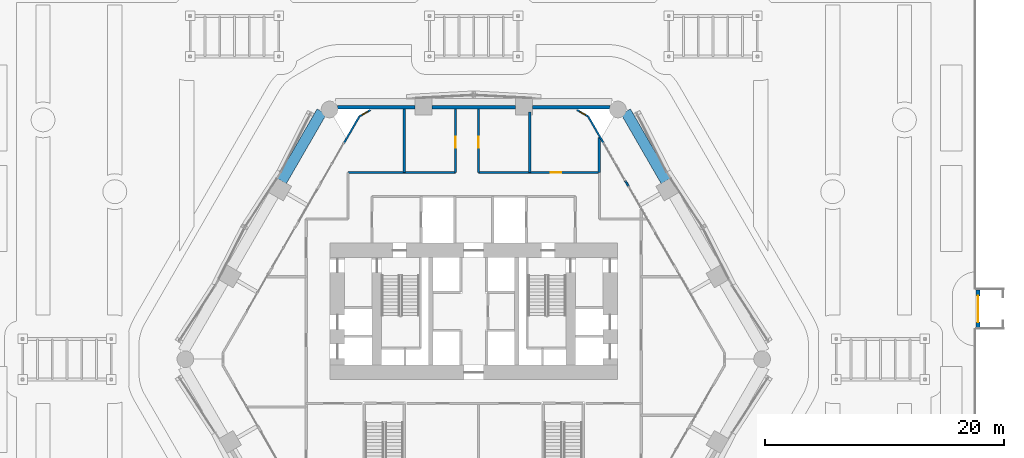
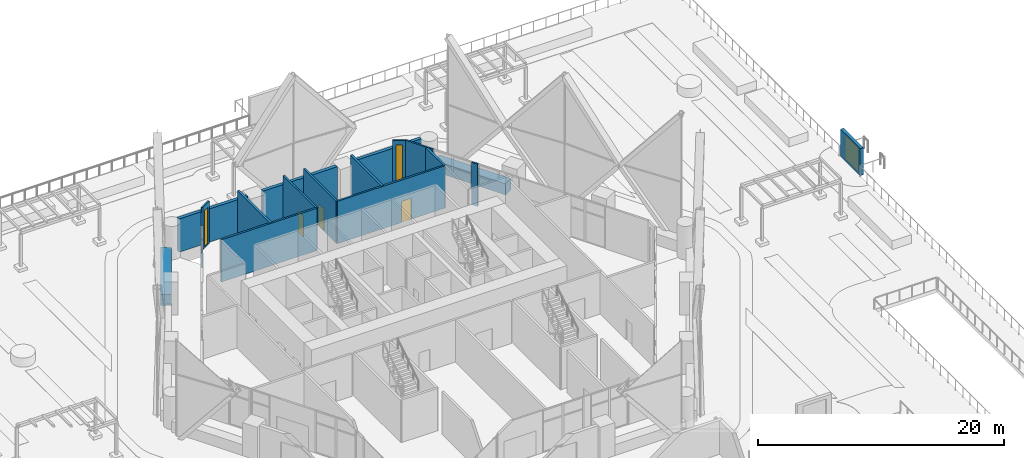
# One storey, part 56 of 71: 18 walls, 4 doors, 2 windows, 6 openings.
"""IFC4 building model written with IfcOpenShell, lengths in metres."""

from ifc_helpers import new_model, si_unit, direction, frame, frame_2d, origin, place, context, subcontext, project, spatial, rectangle, extrude, material, layer, layer_set, type_object, element, fill, save


model = new_model("IFC4")

# Units and contexts
model_context = context("Model", 3, precision=1e-05, world=origin(), true_north=direction((0.0, 1.0)))
body_context = subcontext(model_context, "Body", "Model", "MODEL_VIEW")
ifc_project = project(units=[si_unit("LENGTHUNIT", "METRE"), si_unit("AREAUNIT", "SQUARE_METRE"), si_unit("VOLUMEUNIT", "CUBIC_METRE"), si_unit("PLANEANGLEUNIT", "RADIAN"), si_unit("MASSUNIT", "GRAM", prefix="KILO")], contexts=[model_context])

# Site, building, storey
site_placement = place(None, origin())
site = spatial("IfcSite", under=ifc_project, at=site_placement, CompositionType="ELEMENT")
building_placement = place(site_placement, origin())
building = spatial("IfcBuilding", under=site, at=building_placement, Name="Ostrander Bayou Hotel Tower", CompositionType="ELEMENT")
storey_placement = place(building_placement, frame((0.0, 0.0, 10.0)))
storey = spatial("IfcBuildingStorey", under=building, at=storey_placement, Name="L02", CompositionType="ELEMENT", Elevation=10.0)

# Walls
ifc_material_1 = material(Name="Aluminium framed insulated wall", Category="aluminium")
ifc_layer_1 = layer(ifc_material_1, 0.14990234375)
ifc_layer_set_1 = layer_set([ifc_layer_1], Name="GW1 glass-line wall 150 mm")
wall_type_1 = type_object("IfcWallType", Name="GW1 glass-line wall 150 mm", PredefinedType="SOLIDWALL", material=ifc_layer_set_1)
for number, where, z_axis, x_axis, name in (
    (1, (-9.5595703125, 20.29248046875, 0.0), (0.0, 0.0, 1.0), (-0.499945140294, -0.866057074734, 0.0), "GW1 L02 NW end 1"),
    (2, (10.8564453125, 18.0458984375, 0.0), (0.0, 0.0, 1.0), (-0.499945140294, 0.866057074734, 0.0), "GW1 L02 NE end 2"),
):
    element("IfcWall", number, at=place(storey_placement, frame(where, z_axis=z_axis, x_axis=x_axis)), inside=storey, type_object=wall_type_1, Name=name, PredefinedType="SOLIDWALL", context=body_context, shape_type="SweptSolid", body=[
        extrude(rectangle(XDim=2.593994140625, YDim=0.14990234375, at=frame_2d((1.296875, 0.0))), origin(), (0.0, 0.0, 1.0), 4.199951171875),
    ])
wall_1_placement = place(storey_placement, frame((12.95654296875, 14.40869140625, 0.0), z_axis=(0.0, 0.0, 1.0), x_axis=(-0.50012165622, 0.865955154139, 0.0)))
element("IfcWall", 3, at=wall_1_placement, inside=storey, type_object=wall_type_1, Name="GW1 L02 NE pier 5", PredefinedType="SOLIDWALL", context=body_context, shape_type="SweptSolid", body=[
    extrude(rectangle(XDim=0.599853515625, YDim=0.14990234375, at=frame_2d((0.2998046875, 0.0))), origin(), (0.0, 0.0, 1.0), 4.199951171875),
])

# Wall, opening, window
wall_2_placement = place(storey_placement, frame((-8.63720703125, 20.824951171875, 0.0), z_axis=(0.0, 0.0, 1.0), x_axis=(-0.866048165231, -0.499960573946, 0.0)))
wall_2 = element("IfcWall", 4, at=wall_2_placement, inside=storey, type_object=wall_type_1, Name="GW1 L02 corner 1", PredefinedType="SOLIDWALL", context=body_context, shape_type="SweptSolid", body=[
    extrude(rectangle(XDim=1.06494140625, YDim=0.14990234375, at=frame_2d((0.532470703125, 0.0))), origin(), (0.0, 0.0, 1.0), 4.199951171875),
])
opening_1_placement = place(wall_2_placement, frame((0.257568359375, 0.0, 0.14990234375)))
opening_1 = element("IfcOpeningElement", 5, at=opening_1_placement, cuts=wall_2, Name="Opening W19", PredefinedType="OPENING", context=body_context, shape_type="SweptSolid", body=[
    extrude(rectangle(XDim=0.550048828125, YDim=3.60009765625, at=frame_2d((0.27490234375, 1.800048828125))), frame((0.0, 0.074951171875, 0.0), z_axis=(0.0, -1.0, 0.0), x_axis=(1.0, 0.0, 0.0)), (0.0, 0.0, 1.0), 0.14990234375),
])
ifc_material_2 = material(Name="Aluminium and clear glass", Category="aluminium")
window_type = type_object("IfcWindowType", Name="W19 corner window 550 mm", PartitioningType="SINGLE_PANEL", PredefinedType="WINDOW", material=ifc_material_2)
window_1_placement = place(opening_1_placement, origin())
window_1 = element("IfcWindow", 6, at=window_1_placement, inside=storey, type_object=window_type, Name="W19 L02 corner 1", OverallHeight=3.60009765625, OverallWidth=0.550048828125, PartitioningType="SINGLE_PANEL", PredefinedType="WINDOW", context=body_context, shape_type="SweptSolid", body=[
    extrude(rectangle(XDim=0.550048828125, YDim=3.60009765625, at=frame_2d((0.27490234375, 1.800048828125))), frame((0.0, 0.030029296875, 0.0), z_axis=(0.0, -1.0, 0.0), x_axis=(1.0, 0.0, 0.0)), (0.0, 0.0, 1.0), 0.06005859375),
])
fill(opening_1, window_1)

wall_3_placement = place(storey_placement, frame((9.5595703125, 20.29248046875, 0.0), z_axis=(0.0, 0.0, 1.0), x_axis=(-0.866048165231, 0.499960573946, 0.0)))
wall_3 = element("IfcWall", 7, at=wall_3_placement, inside=storey, type_object=wall_type_1, Name="GW1 L02 corner 6", PredefinedType="SOLIDWALL", context=body_context, shape_type="SweptSolid", body=[
    extrude(rectangle(XDim=1.06494140625, YDim=0.14990234375, at=frame_2d((0.532470703125, 0.0))), origin(), (0.0, 0.0, 1.0), 4.199951171875),
])
opening_2_placement = place(wall_3_placement, frame((0.257568359375, 0.0, 0.14990234375)))
opening_2 = element("IfcOpeningElement", 8, at=opening_2_placement, cuts=wall_3, Name="Opening W19", PredefinedType="OPENING", context=body_context, shape_type="SweptSolid", body=[
    extrude(rectangle(XDim=0.550048828125, YDim=3.60009765625, at=frame_2d((0.27490234375, 1.800048828125))), frame((0.0, 0.074951171875, 0.0), z_axis=(0.0, -1.0, 0.0), x_axis=(1.0, 0.0, 0.0)), (0.0, 0.0, 1.0), 0.14990234375),
])
window_2_placement = place(opening_2_placement, origin())
window_2 = element("IfcWindow", 9, at=window_2_placement, inside=storey, type_object=window_type, Name="W19 L02 corner 6", OverallHeight=3.60009765625, OverallWidth=0.550048828125, PartitioningType="SINGLE_PANEL", PredefinedType="WINDOW", context=body_context, shape_type="SweptSolid", body=[
    extrude(rectangle(XDim=0.550048828125, YDim=3.60009765625, at=frame_2d((0.27490234375, 1.800048828125))), frame((0.0, 0.030029296875, 0.0), z_axis=(0.0, -1.0, 0.0), x_axis=(1.0, 0.0, 0.0)), (0.0, 0.0, 1.0), 0.06005859375),
])
fill(opening_2, window_2)

# Walls
ifc_material_3 = material(Name="Reconstituted stone on masonry backing", Category="masonry")
ifc_layer_2 = layer(ifc_material_3, 0.300048828125)
ifc_layer_set_2 = layer_set([ifc_layer_2], Name="NW1 north stone wall 300 mm")
wall_type_2 = type_object("IfcWallType", Name="NW1 north stone wall 300 mm", PredefinedType="SOLIDWALL", material=ifc_layer_set_2)
wall_4_placement = place(storey_placement, frame((11.376708984375, 21.050048828125, 0.0), z_axis=(0.0, 0.0, 1.0), x_axis=(-1.0, 0.0, 0.0)))
element("IfcWall", 10, at=wall_4_placement, inside=storey, type_object=wall_type_2, Name="NW1 L02 N-1", PredefinedType="SOLIDWALL", context=body_context, shape_type="SweptSolid", body=[
    extrude(rectangle(XDim=6.481201171875, YDim=0.300048828125, at=frame_2d((3.24072265625, 0.0))), origin(), (0.0, 0.0, 1.0), 3.300048828125),
])
wall_5_placement = place(storey_placement, frame((3.495361328125, 21.050048828125, 0.0), z_axis=(0.0, 0.0, 1.0), x_axis=(-1.0, 0.0, 0.0)))
element("IfcWall", 11, at=wall_5_placement, inside=storey, type_object=wall_type_2, Name="NW1 L02 N-2", PredefinedType="SOLIDWALL", context=body_context, shape_type="SweptSolid", body=[
    extrude(rectangle(XDim=6.99072265625, YDim=0.300048828125, at=frame_2d((3.495361328125, 0.0))), origin(), (0.0, 0.0, 1.0), 3.300048828125),
])
wall_6_placement = place(storey_placement, frame((-4.8955078125, 21.050048828125, 0.0), z_axis=(0.0, 0.0, 1.0), x_axis=(-1.0, 0.0, 0.0)))
element("IfcWall", 12, at=wall_6_placement, inside=storey, type_object=wall_type_2, Name="NW1 L02 N-3", PredefinedType="SOLIDWALL", context=body_context, shape_type="SweptSolid", body=[
    extrude(rectangle(XDim=6.481201171875, YDim=0.300048828125, at=frame_2d((3.24072265625, 0.0))), origin(), (0.0, 0.0, 1.0), 3.300048828125),
])

# Wall, opening, door
wall_7_placement = place(storey_placement, frame((42.14990234375, 2.60009765625, 0.0), z_axis=(0.0, 0.0, 1.0), x_axis=(0.0, 1.0, 0.0)))
wall_7 = element("IfcWall", 13, at=wall_7_placement, inside=storey, type_object=wall_type_2, Name="NW1 garden gate wall E", PredefinedType="SOLIDWALL", context=body_context, shape_type="SweptSolid", body=[
    extrude(rectangle(XDim=3.199951171875, YDim=0.300048828125, at=frame_2d((1.60009765625, 0.0))), origin(), (0.0, 0.0, 1.0), 2.699951171875),
])
opening_3_placement = place(wall_7_placement, frame((0.5, 0.0, 0.0)))
opening_3 = element("IfcOpeningElement", 14, at=opening_3_placement, cuts=wall_7, Name="Opening T02-814", PredefinedType="OPENING", context=body_context, shape_type="SweptSolid", body=[
    extrude(rectangle(XDim=2.199951171875, YDim=2.39990234375, at=frame_2d((1.10009765625, 1.199951171875))), frame((0.0, 0.14990234375, 0.0), z_axis=(0.0, -1.0, 0.0), x_axis=(1.0, 0.0, 0.0)), (0.0, 0.0, 1.0), 0.300048828125),
])
ifc_material_4 = material(Name="Aluminium and clear glass", Category="aluminium")
door_type_1 = type_object("IfcDoorType", Name="GD1 garden gate 2200 mm", OperationType="DOUBLE_DOOR_SINGLE_SWING", PredefinedType="DOOR", material=ifc_material_4)
door_1_placement = place(opening_3_placement, origin())
door_1 = element("IfcDoor", 15, at=door_1_placement, inside=storey, type_object=door_type_1, Name="GD1 garden gate E", OperationType="DOUBLE_DOOR_SINGLE_SWING", OverallHeight=2.39990234375, OverallWidth=2.199951171875, PredefinedType="DOOR", context=body_context, shape_type="SweptSolid", body=[
    extrude(rectangle(XDim=2.199951171875, YDim=2.39990234375, at=frame_2d((1.10009765625, 1.199951171875))), frame((0.0, 0.02490234375, 0.0), z_axis=(0.0, -1.0, 0.0), x_axis=(1.0, 0.0, 0.0)), (0.0, 0.0, 1.0), 0.050048828125),
])
fill(opening_3, door_1)

# Walls
ifc_material_5 = material(Name="Concrete f'c 40 MPa", Category="concrete")
ifc_layer_3 = layer(ifc_material_5, 0.89990234375)
ifc_layer_set_3 = layer_set([ifc_layer_3], Name="PA1 stone-faced parapet 900 mm")
wall_type_3 = type_object("IfcWallType", Name="PA1 stone-faced parapet 900 mm", PredefinedType="PARAPET", material=ifc_layer_set_3)
for number, where, z_axis, x_axis, name in (
    (16, (-12.705078125, 20.694091796875, 0.0), (0.0, 0.0, 1.0), (-0.500005133765, -0.866022439784, 0.0), "PA1 L02 NW-1"),
    (17, (16.056884765625, 14.888671875, 0.0), (0.0, 0.0, 1.0), (-0.500005133765, 0.866022439784, 0.0), "PA1 L02 NE-3"),
):
    element("IfcWall", number, at=place(storey_placement, frame(where, z_axis=z_axis, x_axis=x_axis)), inside=storey, type_object=wall_type_3, Name=name, PredefinedType="PARAPET", context=body_context, shape_type="SweptSolid", body=[
        extrude(rectangle(XDim=6.70361328125, YDim=0.89990234375, at=frame_2d((3.351806640625, 0.0))), origin(), (0.0, 0.0, 1.0), 1.10009765625),
    ])
ifc_material_6 = material(Name="Gypsum board partition", Category="finish")
ifc_layer_4 = layer(ifc_material_6, 0.199951171875)
ifc_layer_set_4 = layer_set([ifc_layer_4], Name="PT3 demising wall 200 mm acoustic double stud, 1 hour")
wall_type_4 = type_object("IfcWallType", Name="PT3 demising wall 200 mm acoustic double stud, 1 hour", PredefinedType="PARTITIONING", material=ifc_layer_set_4)
wall_8_placement = place(storey_placement, frame((-5.800048828125, 15.60009765625, 0.0), z_axis=(0.0, 0.0, 1.0), x_axis=(0.0, 1.0, 0.0)))
element("IfcWall", 18, at=wall_8_placement, inside=storey, type_object=wall_type_4, Name="sw:L02:019", PredefinedType="PARTITIONING", context=body_context, shape_type="SweptSolid", body=[
    extrude(rectangle(XDim=5.294921875, YDim=0.199951171875, at=frame_2d((2.6474609375, 0.0))), origin(), (0.0, 0.0, 1.0), 4.199951171875),
])
wall_9_placement = place(storey_placement, frame((4.672119140625, 15.60009765625, 0.0), z_axis=(0.0, 0.0, 1.0), x_axis=(0.0, 1.0, 0.0)))
element("IfcWall", 19, at=wall_9_placement, inside=storey, type_object=wall_type_4, Name="sw:L02:022", PredefinedType="PARTITIONING", context=body_context, shape_type="SweptSolid", body=[
    extrude(rectangle(XDim=5.06982421875, YDim=0.199951171875, at=frame_2d((2.534912109375, 0.0))), origin(), (0.0, 0.0, 1.0), 4.199951171875),
])
wall_10_placement = place(storey_placement, frame((10.5, 15.60009765625, 0.0), z_axis=(0.0, 0.0, 1.0), x_axis=(0.0, 1.0, 0.0)))
element("IfcWall", 20, at=wall_10_placement, inside=storey, type_object=wall_type_4, Name="sw:L02:025", PredefinedType="PARTITIONING", context=body_context, shape_type="SweptSolid", body=[
    extrude(rectangle(XDim=2.908447265625, YDim=0.199951171875, at=frame_2d((1.4541015625, 0.0))), origin(), (0.0, 0.0, 1.0), 4.199951171875),
])
ifc_material_7 = material(Name="Gypsum board partition", Category="finish")
ifc_layer_5 = layer(ifc_material_7, 0.175048828125)
ifc_layer_set_5 = layer_set([ifc_layer_5], Name="PT4 corridor wall 175 mm, 1 hour")
wall_type_5 = type_object("IfcWallType", Name="PT4 corridor wall 175 mm, 1 hour", PredefinedType="PARTITIONING", material=ifc_layer_set_5)
wall_11_placement = place(storey_placement, frame((-10.5, 15.60009765625, 0.0), z_axis=(0.0, 0.0, 1.0), x_axis=(1.0, 0.0, 0.0)))
element("IfcWall", 21, at=wall_11_placement, inside=storey, type_object=wall_type_5, Name="sw:L02:006", PredefinedType="PARTITIONING", context=body_context, shape_type="SweptSolid", body=[
    extrude(rectangle(XDim=8.9716796875, YDim=0.175048828125, at=frame_2d((4.48583984375, 0.0))), origin(), (0.0, 0.0, 1.0), 4.199951171875),
])

# Wall, opening, door
wall_12_placement = place(storey_placement, frame((0.39990234375, 15.60009765625, 0.0), z_axis=(0.0, 0.0, 1.0), x_axis=(1.0, 0.0, 0.0)))
wall_12 = element("IfcWall", 22, at=wall_12_placement, inside=storey, type_object=wall_type_5, Name="sw:L02:007", PredefinedType="PARTITIONING", context=body_context, shape_type="SweptSolid", body=[
    extrude(rectangle(XDim=10.10009765625, YDim=0.175048828125, at=frame_2d((5.050048828125, 0.0))), origin(), (0.0, 0.0, 1.0), 4.199951171875),
])
opening_4_placement = place(wall_12_placement, frame((6.015625, 0.0, 0.0)))
opening_4 = element("IfcOpeningElement", 23, at=opening_4_placement, cuts=wall_12, Name="Opening T02-212", PredefinedType="OPENING", context=body_context, shape_type="SweptSolid", body=[
    extrude(rectangle(XDim=0.89990234375, YDim=2.10009765625, at=frame_2d((0.449951171875, 1.050048828125))), frame((0.0, 0.08740234375, 0.0), z_axis=(0.0, -1.0, 0.0), x_axis=(1.0, 0.0, 0.0)), (0.0, 0.0, 1.0), 0.175048828125),
])
ifc_material_8 = material(Name="Timber door leaf", Category="wood")
door_type_2 = type_object("IfcDoorType", Name="D8 room door 900 x 2100 mm", OperationType="SINGLE_SWING_LEFT", PredefinedType="DOOR", material=ifc_material_8)
door_2_placement = place(opening_4_placement, origin())
door_2 = element("IfcDoor", 24, at=door_2_placement, inside=storey, type_object=door_type_2, Name="dr:L02:212", OperationType="SINGLE_SWING_RIGHT", OverallHeight=2.10009765625, OverallWidth=0.89990234375, PredefinedType="DOOR", context=body_context, shape_type="SweptSolid", body=[
    extrude(rectangle(XDim=0.89990234375, YDim=2.10009765625, at=frame_2d((0.449951171875, 1.050048828125))), frame((0.0, 0.02490234375, 0.0), z_axis=(0.0, -1.0, 0.0), x_axis=(1.0, 0.0, 0.0)), (0.0, 0.0, 1.0), 0.050048828125),
])
fill(opening_4, door_2)

wall_13_placement = place(storey_placement, frame((-1.528076171875, 15.60009765625, 0.0), z_axis=(0.0, 0.0, 1.0), x_axis=(0.0, 1.0, 0.0)))
wall_13 = element("IfcWall", 25, at=wall_13_placement, inside=storey, type_object=wall_type_5, Name="sw:L02:010", PredefinedType="PARTITIONING", context=body_context, shape_type="SweptSolid", body=[
    extrude(rectangle(XDim=5.294921875, YDim=0.175048828125, at=frame_2d((2.6474609375, 0.0))), origin(), (0.0, 0.0, 1.0), 4.199951171875),
])
opening_5_placement = place(wall_13_placement, frame((2.0849609375, 0.0, 0.0)))
opening_5 = element("IfcOpeningElement", 26, at=opening_5_placement, cuts=wall_13, Name="Opening T02-210", PredefinedType="OPENING", context=body_context, shape_type="SweptSolid", body=[
    extrude(rectangle(XDim=0.89990234375, YDim=2.10009765625, at=frame_2d((0.449951171875, 1.050048828125))), frame((0.0, 0.08740234375, 0.0), z_axis=(0.0, -1.0, 0.0), x_axis=(1.0, 0.0, 0.0)), (0.0, 0.0, 1.0), 0.175048828125),
])
door_3_placement = place(opening_5_placement, origin())
door_3 = element("IfcDoor", 27, at=door_3_placement, inside=storey, type_object=door_type_2, Name="dr:L02:210", OperationType="SINGLE_SWING_RIGHT", OverallHeight=2.10009765625, OverallWidth=0.89990234375, PredefinedType="DOOR", context=body_context, shape_type="SweptSolid", body=[
    extrude(rectangle(XDim=0.89990234375, YDim=2.10009765625, at=frame_2d((0.449951171875, 1.050048828125))), frame((0.0, 0.02490234375, 0.0), z_axis=(0.0, -1.0, 0.0), x_axis=(1.0, 0.0, 0.0)), (0.0, 0.0, 1.0), 0.050048828125),
])
fill(opening_5, door_3)

wall_14_placement = place(storey_placement, frame((0.39990234375, 15.60009765625, 0.0), z_axis=(0.0, 0.0, 1.0), x_axis=(0.0, 1.0, 0.0)))
wall_14 = element("IfcWall", 28, at=wall_14_placement, inside=storey, type_object=wall_type_5, Name="sw:L02:011", PredefinedType="PARTITIONING", context=body_context, shape_type="SweptSolid", body=[
    extrude(rectangle(XDim=5.294921875, YDim=0.175048828125, at=frame_2d((2.6474609375, 0.0))), origin(), (0.0, 0.0, 1.0), 4.199951171875),
])
opening_6_placement = place(wall_14_placement, frame((2.0849609375, 0.0, 0.0)))
opening_6 = element("IfcOpeningElement", 29, at=opening_6_placement, cuts=wall_14, Name="Opening T02-211", PredefinedType="OPENING", context=body_context, shape_type="SweptSolid", body=[
    extrude(rectangle(XDim=0.89990234375, YDim=2.10009765625, at=frame_2d((0.449951171875, 1.050048828125))), frame((0.0, 0.08740234375, 0.0), z_axis=(0.0, -1.0, 0.0), x_axis=(1.0, 0.0, 0.0)), (0.0, 0.0, 1.0), 0.175048828125),
])
door_4_placement = place(opening_6_placement, origin())
door_4 = element("IfcDoor", 30, at=door_4_placement, inside=storey, type_object=door_type_2, Name="dr:L02:211", OperationType="SINGLE_SWING_LEFT", OverallHeight=2.10009765625, OverallWidth=0.89990234375, PredefinedType="DOOR", context=body_context, shape_type="SweptSolid", body=[
    extrude(rectangle(XDim=0.89990234375, YDim=2.10009765625, at=frame_2d((0.449951171875, 1.050048828125))), frame((0.0, 0.02490234375, 0.0), z_axis=(0.0, -1.0, 0.0), x_axis=(1.0, 0.0, 0.0)), (0.0, 0.0, 1.0), 0.050048828125),
])
fill(opening_6, door_4)

save(model, "model.ifc")
